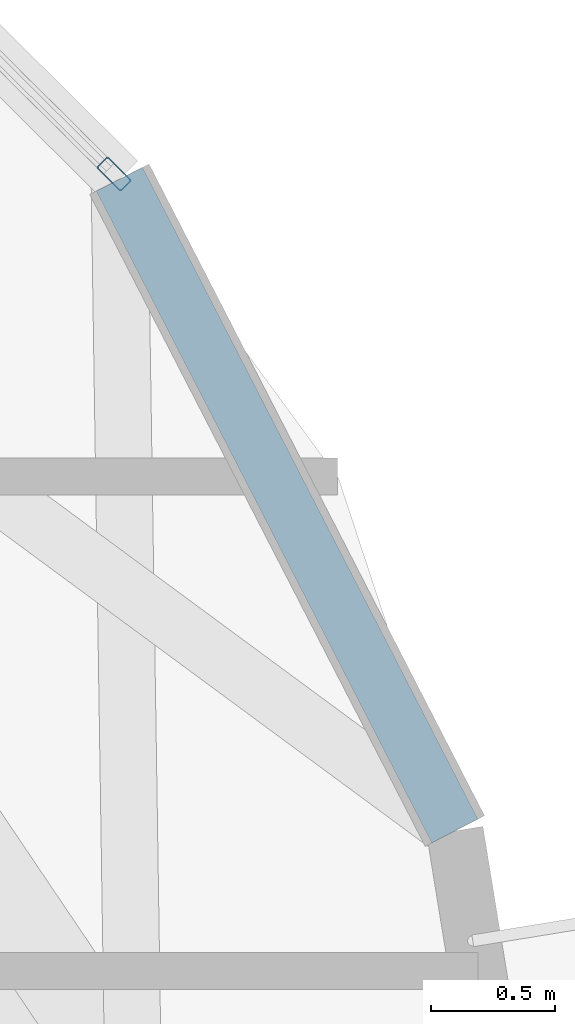
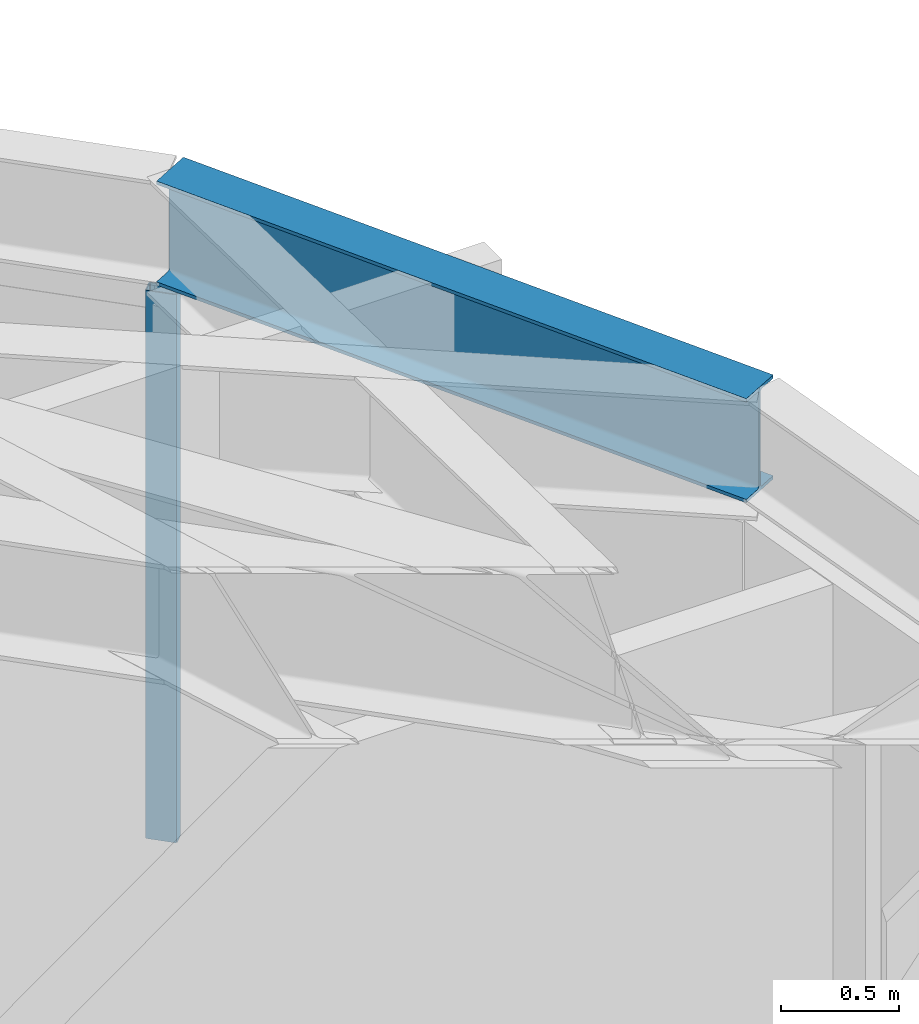
# One storey, part 11 of 22: 1 beam, 1 member, 1 element without a shape of its own.
"""IFC4 building model written with IfcOpenShell, lengths in metres."""

import ifcopenshell
import ifcopenshell.guid

model = None  # the IFC model being written
_history = None  # IfcOwnerHistory: only IFC2X3 demands one
_inside = {}  # id of a spatial element -> (the spatial element, [elements in it])
_under = {}  # id of a project, library or spatial element -> (it, [spatial elements below it])
_declared = {}  # id of a project -> (the project, [libraries it declares])
_typed = {}  # id of a type object -> (the type object, [elements of that type])
_made_of = {}  # id of a material, layer set ... -> (it, [elements and type objects made of it])


def new_model(schema):
    """Start an empty IFC model of exactly this schema.

    Asked for "IFC4X3", IfcOpenShell would pick the latest addendum, in which some entities
    have other attributes; the version numbers below select the first issue.
    IFC2X3 requires an IfcOwnerHistory on every rooted entity: one is made here for all.
    """
    global model, _history
    if schema == "IFC4X3":
        model = ifcopenshell.file(schema_version=(4, 3, 0, 0))
    else:
        model = ifcopenshell.file(schema=schema)
    _inside.clear()
    _under.clear()
    _declared.clear()
    _typed.clear()
    _made_of.clear()
    _history = None
    if model.schema == "IFC2X3":
        org = make("IfcOrganization", Name="unknown")
        user = make(
            "IfcPersonAndOrganization",
            ThePerson=make("IfcPerson", FamilyName="unknown"),
            TheOrganization=org,
        )
        app = make(
            "IfcApplication",
            ApplicationDeveloper=org,
            Version="unknown",
            ApplicationFullName="unknown",
            ApplicationIdentifier="unknown",
        )
        _history = make(
            "IfcOwnerHistory",
            OwningUser=user,
            OwningApplication=app,
            ChangeAction="ADDED",
            CreationDate=0,
        )
    return model


def make(cls, **values):
    """One entity of the class cls with the attributes given. An attribute that is None is left unset."""
    return model.create_entity(
        cls, **{name: value for name, value in values.items() if value is not None}
    )


def rooted(cls, **values):
    """An entity with a GlobalId (a new one), such as an element, a storey or a relation."""
    return make(cls, GlobalId=ifcopenshell.guid.new(), OwnerHistory=_history, **values)


def si_unit(unit_type, name, prefix=None):
    """IfcSIUnit, for example si_unit("LENGTHUNIT", "METRE", prefix="MILLI")."""
    return make("IfcSIUnit", UnitType=unit_type, Prefix=prefix, Name=name)


def assignment(units):
    """IfcUnitAssignment: the units of a project."""
    return None if units is None else make("IfcUnitAssignment", Units=units)


def point(xyz):
    """IfcCartesianPoint."""
    return None if xyz is None else make("IfcCartesianPoint", Coordinates=xyz)


def direction(xyz):
    """IfcDirection."""
    return None if xyz is None else make("IfcDirection", DirectionRatios=xyz)


def frame(location, z_axis=None, x_axis=None):
    """IfcAxis2Placement3D, a coordinate frame: its origin and axes. An axis left out is left unset."""
    return make(
        "IfcAxis2Placement3D",
        Location=point(location),
        Axis=direction(z_axis),
        RefDirection=direction(x_axis),
    )


def frame_2d(location, x_axis=None):
    """IfcAxis2Placement2D, a coordinate frame in the plane: its origin and x axis."""
    return make(
        "IfcAxis2Placement2D", Location=point(location), RefDirection=direction(x_axis)
    )


def origin():
    """The frame at (0, 0, 0) with its axes left unset."""
    return frame((0.0, 0.0, 0.0))


def origin_2d():
    """The frame at (0, 0) in the plane with its x axis left unset."""
    return frame_2d((0.0, 0.0))


def place(relative_to, where):
    """IfcLocalPlacement: puts the frame where relative to a parent placement (None: the world)."""
    return make(
        "IfcLocalPlacement", PlacementRelTo=relative_to, RelativePlacement=where
    )


def context(
    kind, dimensions, precision=None, world=None, true_north=None, identifier=None
):
    """IfcGeometricRepresentationContext, for example the 3D "Model" context."""
    return make(
        "IfcGeometricRepresentationContext",
        ContextIdentifier=identifier,
        ContextType=kind,
        CoordinateSpaceDimension=dimensions,
        Precision=precision,
        WorldCoordinateSystem=world,
        TrueNorth=true_north,
    )


def subcontext(parent, identifier, kind, view, scale=None):
    """IfcGeometricRepresentationSubContext, for example "Body" below "Model"."""
    return make(
        "IfcGeometricRepresentationSubContext",
        ContextIdentifier=identifier,
        ContextType=kind,
        ParentContext=parent,
        TargetScale=scale,
        TargetView=view,
    )


def project(units=None, contexts=None):
    """IfcProject with its units and contexts."""
    return rooted(
        "IfcProject",
        Name="project",
        RepresentationContexts=contexts,
        UnitsInContext=assignment(units),
    )


def spatial(cls, under=None, at=None, **own):
    """A site, building, storey or space (cls), placed at a placement, below another one or the project."""
    s = rooted(cls, ObjectPlacement=at, **own)
    if under is not None:
        _under.setdefault(under.id(), (under, []))[1].append(s)
    return s


def profile(cls, at=None, kind="AREA", **sizes):
    """A parametric profile (cls). Its sizes go by their IFC names, for example OverallWidth=200.0."""
    return make(cls, ProfileType=kind, Position=at, **sizes)


def hollow_rectangle(**sizes):
    """IfcRectangleHollowProfileDef."""
    return profile("IfcRectangleHollowProfileDef", **sizes)


def i_section(**sizes):
    """IfcIShapeProfileDef."""
    return profile("IfcIShapeProfileDef", **sizes)


def extrude(swept, where, along, depth):
    """IfcExtrudedAreaSolid: the profile swept, set in the frame where, extruded along a direction by depth."""
    return make(
        "IfcExtrudedAreaSolid",
        SweptArea=swept,
        Position=where,
        ExtrudedDirection=direction(along),
        Depth=depth,
    )


def shape(context_of_items, identifier, shape_type, items):
    """IfcShapeRepresentation: the items that make up one representation, for example the "Body"."""
    return make(
        "IfcShapeRepresentation",
        ContextOfItems=context_of_items,
        RepresentationIdentifier=identifier,
        RepresentationType=shape_type,
        Items=items,
    )


def material(Name=None, Category=None):
    """IfcMaterial."""
    return make("IfcMaterial", Name=Name, Category=Category)


def layer(
    of_material, thickness, ventilated=None, Name=None, Category=None, Priority=None
):
    """IfcMaterialLayer: one layer of a wall or slab, of a material (None: an air gap)."""
    return make(
        "IfcMaterialLayer",
        Material=of_material,
        LayerThickness=thickness,
        IsVentilated=ventilated,
        Name=Name,
        Category=Category,
        Priority=Priority,
    )


def layer_set(layers, Name=None):
    """IfcMaterialLayerSet."""
    return make("IfcMaterialLayerSet", MaterialLayers=layers, LayerSetName=Name)


def material_profile(
    of_material, cross_section, Name=None, Category=None, Priority=None
):
    """IfcMaterialProfile: a cross section and its material."""
    return make(
        "IfcMaterialProfile",
        Name=Name,
        Material=of_material,
        Profile=cross_section,
        Priority=Priority,
        Category=Category,
    )


def profile_set(profiles, Name=None, composite=None):
    """IfcMaterialProfileSet."""
    return make(
        "IfcMaterialProfileSet",
        Name=Name,
        MaterialProfiles=profiles,
        CompositeProfile=composite,
    )


def made_of(thing, what):
    """Note that an element or type object is made of a material, layer set ...; save() writes the relation."""
    if what is not None:
        _made_of.setdefault(what.id(), (what, []))[1].append(thing)
    return thing


def type_object(cls, material=None, **own):
    """A type object (cls), such as IfcWallType, which elements share."""
    return made_of(rooted(cls, **own), material)


def element(
    cls,
    number,
    at=None,
    inside=None,
    cuts=None,
    type_object=None,
    material=None,
    context=None,
    identifier="Body",
    shape_type=None,
    held_by="IfcProductDefinitionShape",
    body=None,
    shapes=None,
    **own,
):
    """One element of the class cls, such as IfcWall. Its Tag is "e" and its number.

    at: its placement. inside: the storey or other place that contains it. cuts: it is an
    opening in that element (IfcRelVoidsElement). A single representation is given by context,
    identifier, shape_type and body (its items); several are given by shapes. held_by: the class
    of the entity that holds the representations. save() writes the other relations.
    """
    e = rooted(cls, Tag="e%d" % number, ObjectPlacement=at, **own)
    if body is not None:
        shapes = [shape(context, identifier, shape_type, body)]
    if shapes is not None:
        e.Representation = make(held_by, Representations=shapes)
    if inside is not None:
        _inside.setdefault(inside.id(), (inside, []))[1].append(e)
    if cuts is not None:
        rooted(
            "IfcRelVoidsElement", RelatingBuildingElement=cuts, RelatedOpeningElement=e
        )
    if type_object is not None:
        _typed.setdefault(type_object.id(), (type_object, []))[1].append(e)
    return made_of(e, material)


def aggregate(whole, parts):
    """IfcRelAggregates: a whole, such as a stair, and the parts it consists of."""
    return rooted("IfcRelAggregates", RelatingObject=whole, RelatedObjects=parts)


def save(model, path):
    """Write the relations noted so far, then the file.

    IfcRelAggregates (storeys below a building ...), IfcRelContainedInSpatialStructure (elements
    in a storey), IfcRelDefinesByType, IfcRelAssociatesMaterial and IfcRelDeclares: one each for
    every whole, place, type object, material and project.
    """
    for whole, parts in _under.values():
        aggregate(whole, parts)
    for where, things in _inside.values():
        rooted(
            "IfcRelContainedInSpatialStructure",
            RelatedElements=things,
            RelatingStructure=where,
        )
    for kind, things in _typed.values():
        rooted("IfcRelDefinesByType", RelatedObjects=things, RelatingType=kind)
    for what, things in _made_of.values():
        rooted("IfcRelAssociatesMaterial", RelatedObjects=things, RelatingMaterial=what)
    for by, libraries in _declared.values():
        rooted("IfcRelDeclares", RelatingContext=by, RelatedDefinitions=libraries)
    model.write(path)


model = new_model("IFC4")

# Units and contexts
model_context = context("Model", 3, precision=1e-05, world=origin(), true_north=direction((0.0, 1.0)))
body_context = subcontext(model_context, "Body", "Model", "MODEL_VIEW")
ifc_project = project(units=[si_unit("LENGTHUNIT", "METRE"), si_unit("AREAUNIT", "SQUARE_METRE"), si_unit("VOLUMEUNIT", "CUBIC_METRE"), si_unit("PLANEANGLEUNIT", "RADIAN"), si_unit("MASSUNIT", "GRAM", prefix="KILO")], contexts=[model_context])

# Site, building, storey
site_placement = place(None, origin())
site = spatial("IfcSite", under=ifc_project, at=site_placement, CompositionType="ELEMENT")
building_placement = place(site_placement, origin())
building = spatial("IfcBuilding", under=site, at=building_placement, Name="Soratama Intermodal Tower", CompositionType="ELEMENT")
storey_placement = place(building_placement, frame((0.0, 0.0, 265.0)))
storey = spatial("IfcBuildingStorey", under=building, at=storey_placement, Name="L67", CompositionType="ELEMENT", Elevation=265.0)

# Beam
ifc_material_1 = material(Name="Structural steel ASTM A992 Grade 50", Category="steel")
ifc_material_profile_1 = material_profile(ifc_material_1, i_section(OverallWidth=0.2099609375, OverallDepth=0.537109375, WebThickness=0.010986328125, FlangeThickness=0.017333984375, FilletRadius=0.012939453125, at=origin_2d()), Name="W21X68")
ifc_profile_set_1 = profile_set([ifc_material_profile_1], Name="Structural steel ASTM A992 Grade 50")
beam_type = type_object("IfcBeamType", Name="BM-SPN-W21X68", PredefinedType="SPANDREL", material=ifc_profile_set_1)
beam_placement = place(storey_placement, frame((61.965087890625, 32.06591796875, 3.181396484375), z_axis=(-0.457621419409, 0.88914713996, 0.0), x_axis=(-0.88914713996, -0.457621419409, 0.0)))
element("IfcBeam", 1, at=beam_placement, inside=storey, type_object=beam_type, Name="BS-L67-CRN09", PredefinedType="SPANDREL", context=body_context, shape_type="SweptSolid", body=[
    extrude(i_section(OverallWidth=0.2099609375, OverallDepth=0.537109375, WebThickness=0.010986328125, FlangeThickness=0.017333984375, FilletRadius=0.012939453125, at=origin_2d()), origin(), (0.0, 0.0, 1.0), 2.9658203125),
])

# Curtain wall, member
ifc_material_2 = material(Name="Double-glazed aluminium curtain wall", Category="aluminium")
ifc_layer = layer(ifc_material_2, 0.159912109375)
ifc_layer_set = layer_set([ifc_layer], Name="Double-glazed aluminium curtain wall")
curtain_wall_type = type_object("IfcCurtainWallType", Name="CW-SYS-5", PredefinedType="NOTDEFINED", material=ifc_layer_set)
curtain_wall_placement = place(storey_placement, origin())
curtain_wall = element("IfcCurtainWall", 2, at=curtain_wall_placement, inside=storey, type_object=curtain_wall_type, Name="L67 Faceted Curtain Wall F10", PredefinedType="NOTDEFINED")
ifc_material_3 = material(Name="Anodised aluminium AA 6063-T6", Category="aluminium")
ifc_material_profile_2 = material_profile(ifc_material_3, hollow_rectangle(XDim=0.06494140625, YDim=0.139892578125, WallThickness=0.0048828125, InnerFilletRadius=0.0048828125, OuterFilletRadius=0.010009765625, at=origin_2d()), Name="CWM140X65X5")
ifc_profile_set_2 = profile_set([ifc_material_profile_2], Name="Anodised aluminium AA 6063-T6")
member_type = type_object("IfcMemberType", Name="MT-CWM-5", PredefinedType="MULLION", material=ifc_profile_set_2)
member_placement = place(storey_placement, frame((60.586181640625, 34.724365234375, 0.0), z_axis=(0.0, 0.0, 1.0), x_axis=(-0.704135783486, -0.710065347989, 0.0)))
member = element("IfcMember", 3, at=member_placement, type_object=member_type, Name="CW-5 mullion 1", PredefinedType="MULLION", context=body_context, shape_type="SweptSolid", body=[
    extrude(hollow_rectangle(XDim=0.06494140625, YDim=0.139892578125, WallThickness=0.0048828125, InnerFilletRadius=0.0048828125, OuterFilletRadius=0.010009765625, at=origin_2d()), origin(), (0.0, 0.0, 1.0), 2.8291015625),
])
aggregate(curtain_wall, [member])

save(model, "model.ifc")
